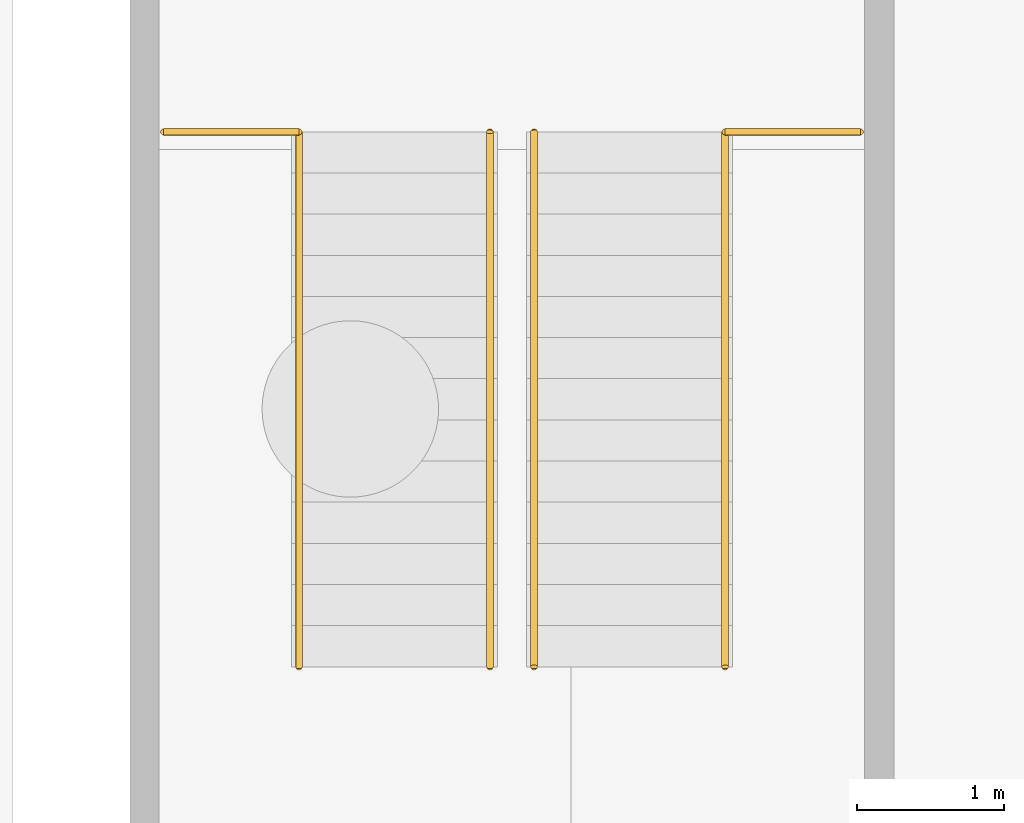
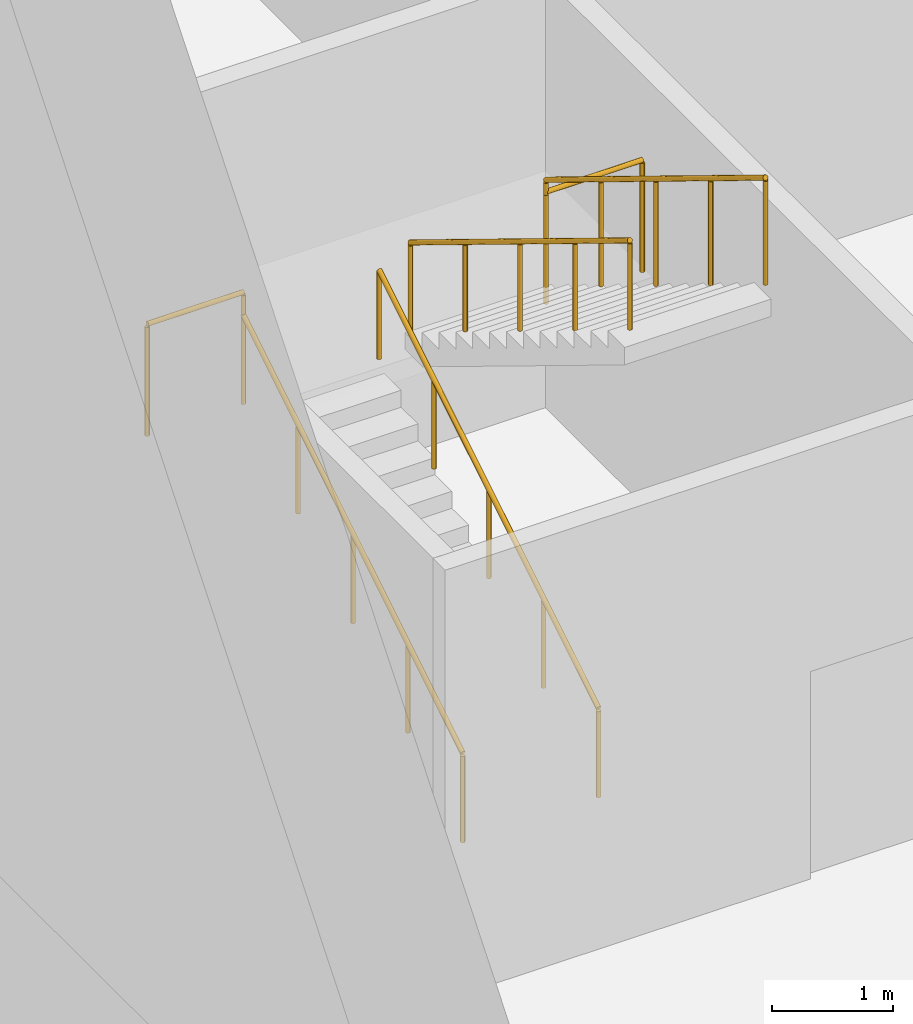
# One storey, part 17 of 18: 6 railings.
"""IFC4 building model written with IfcOpenShell, lengths in metres."""

from ifc_helpers import new_model, si_unit, direction, frame, origin, origin_2d, place, context, subcontext, project, spatial, circle, extrude, material, type_object, element, save


model = new_model("IFC4")

# Units and contexts
model_context = context("Model", 3, precision=1e-05, world=origin(), true_north=direction((0.0, 1.0)))
body_context = subcontext(model_context, "Body", "Model", "MODEL_VIEW")
ifc_project = project(units=[si_unit("LENGTHUNIT", "METRE"), si_unit("AREAUNIT", "SQUARE_METRE"), si_unit("VOLUMEUNIT", "CUBIC_METRE"), si_unit("PLANEANGLEUNIT", "RADIAN"), si_unit("MASSUNIT", "GRAM", prefix="KILO")], contexts=[model_context])

# Site, building, storey
site_placement = place(None, origin())
site = spatial("IfcSite", under=ifc_project, at=site_placement, CompositionType="ELEMENT")
building_placement = place(site_placement, origin())
building = spatial("IfcBuilding", under=site, at=building_placement, Name="Basin Gate Institute", CompositionType="ELEMENT")
storey_placement = place(building_placement, frame((0.0, 0.0, -9.60009765625)))
storey = spatial("IfcBuildingStorey", under=building, at=storey_placement, Name="B2", CompositionType="ELEMENT", Elevation=-9.60009765625)

# Railings
ifc_material_1 = material(Name="Stainless steel", Category="steel")
railing_type_1 = type_object("IfcRailingType", Name="Stair guard GR1", PredefinedType="GUARDRAIL", material=ifc_material_1)
railing_1_placement = place(storey_placement, frame((32.64990234375, 97.239990234375, 2.571533203125)))
element("IfcRailing", 1, at=railing_1_placement, inside=storey, type_object=railing_type_1, material=ifc_material_1, Name="Stair guard GR1 BS5 GD1", PredefinedType="GUARDRAIL", context=body_context, shape_type="SweptSolid", body=[
    extrude(circle(Radius=0.02392578125, at=origin_2d()), frame((0.0, 0.0, 1.076171875), z_axis=(0.0, -0.852850264322, 0.5221555579), x_axis=(1.0, 0.0, 0.0)), (0.0, 0.0, 1.0), 4.267822265625),
    extrude(circle(Radius=0.02099609375, at=origin_2d()), origin(), (0.0, 0.0, 1.0), 1.052001953125),
    extrude(circle(Radius=0.02099609375, at=origin_2d()), frame((0.0, -0.909912109375, 0.55712890625)), (0.0, 0.0, 1.0), 1.052001953125),
    extrude(circle(Radius=0.02099609375, at=origin_2d()), frame((0.0, -1.81982421875, 1.1142578125)), (0.0, 0.0, 1.0), 1.052001953125),
    extrude(circle(Radius=0.02099609375, at=origin_2d()), frame((0.0, -2.72998046875, 1.67138671875)), (0.0, 0.0, 1.0), 1.052001953125),
    extrude(circle(Radius=0.02099609375, at=origin_2d()), frame((0.0, -3.639892578125, 2.228515625)), (0.0, 0.0, 1.0), 1.052001953125),
])
ifc_material_2 = material(Name="Stainless steel", Category="steel")
railing_type_2 = type_object("IfcRailingType", Name="Stair guard GR3", PredefinedType="GUARDRAIL", material=ifc_material_2)
railing_2_placement = place(storey_placement, frame((32.64990234375, 97.239990234375, 2.400146484375)))
element("IfcRailing", 2, at=railing_2_placement, inside=storey, type_object=railing_type_2, material=ifc_material_2, Name="Stair guard GR3 BS5 GD2", PredefinedType="GUARDRAIL", context=body_context, shape_type="SweptSolid", body=[
    extrude(circle(Radius=0.02392578125, at=origin_2d()), frame((0.0, 0.0, 1.1259765625), z_axis=(1.0, 0.0, 0.0), x_axis=(0.0, 1.0, 0.0)), (0.0, 0.0, 1.0), 0.920166015625),
    extrude(circle(Radius=0.02099609375, at=origin_2d()), origin(), (0.0, 0.0, 1.0), 1.101806640625),
    extrude(circle(Radius=0.02099609375, at=origin_2d()), frame((0.920166015625, 0.0, 0.0)), (0.0, 0.0, 1.0), 1.101806640625),
])
railing_3_placement = place(storey_placement, frame((28.830078125, 97.239990234375, 2.400146484375)))
element("IfcRailing", 3, at=railing_3_placement, inside=storey, type_object=railing_type_2, material=ifc_material_2, Name="Stair guard GR3 BS5 GD2b", PredefinedType="GUARDRAIL", context=body_context, shape_type="SweptSolid", body=[
    extrude(circle(Radius=0.02392578125, at=origin_2d()), frame((0.0, 0.0, 1.1259765625), z_axis=(1.0, 0.0, 0.0), x_axis=(0.0, 1.0, 0.0)), (0.0, 0.0, 1.0), 0.919921875),
    extrude(circle(Radius=0.02099609375, at=origin_2d()), origin(), (0.0, 0.0, 1.0), 1.101806640625),
    extrude(circle(Radius=0.02099609375, at=origin_2d()), frame((0.919921875, 0.0, 0.0)), (0.0, 0.0, 1.0), 1.101806640625),
])
ifc_material_3 = material(Name="Stainless steel", Category="steel")
railing_type_3 = type_object("IfcRailingType", Name="Stair handrail HR1", PredefinedType="HANDRAIL", material=ifc_material_3)
for number, where, name in (
    (4, (29.75, 93.60009765625, 0.171630859375), "Stair handrail HR1 BS5 HR1"),
    (5, (31.050048828125, 93.60009765625, 0.171630859375), "Stair handrail HR1 BS5 HR2"),
):
    element("IfcRailing", number, at=place(storey_placement, frame(where)), inside=storey, type_object=railing_type_3, material=ifc_material_3, Name=name, PredefinedType="HANDRAIL", context=body_context, shape_type="SweptSolid", body=[
        extrude(circle(Radius=0.02392578125, at=origin_2d()), frame((0.0, 0.0, 0.89599609375), z_axis=(0.0, 0.852850264322, 0.5221555579), x_axis=(-1.0, 0.0, 0.0)), (0.0, 0.0, 1.0), 4.267822265625),
        extrude(circle(Radius=0.02099609375, at=origin_2d()), origin(), (0.0, 0.0, 1.0), 0.871826171875),
        extrude(circle(Radius=0.02099609375, at=origin_2d()), frame((0.0, 0.909912109375, 0.55712890625)), (0.0, 0.0, 1.0), 0.871826171875),
        extrude(circle(Radius=0.02099609375, at=origin_2d()), frame((0.0, 1.81982421875, 1.1142578125)), (0.0, 0.0, 1.0), 0.871826171875),
        extrude(circle(Radius=0.02099609375, at=origin_2d()), frame((0.0, 2.72998046875, 1.67138671875)), (0.0, 0.0, 1.0), 0.871826171875),
        extrude(circle(Radius=0.02099609375, at=origin_2d()), frame((0.0, 3.639892578125, 2.228515625)), (0.0, 0.0, 1.0), 0.871826171875),
    ])
railing_4_placement = place(storey_placement, frame((31.35009765625, 97.239990234375, 2.571533203125)))
element("IfcRailing", 6, at=railing_4_placement, inside=storey, type_object=railing_type_3, material=ifc_material_3, Name="Stair handrail HR1 BS5 HR3", PredefinedType="HANDRAIL", context=body_context, shape_type="SweptSolid", body=[
    extrude(circle(Radius=0.02392578125, at=origin_2d()), frame((0.0, 0.0, 0.89599609375), z_axis=(0.0, -0.852850264322, 0.5221555579), x_axis=(1.0, 0.0, 0.0)), (0.0, 0.0, 1.0), 4.267822265625),
    extrude(circle(Radius=0.02099609375, at=origin_2d()), origin(), (0.0, 0.0, 1.0), 0.871826171875),
    extrude(circle(Radius=0.02099609375, at=origin_2d()), frame((0.0, -0.909912109375, 0.55712890625)), (0.0, 0.0, 1.0), 0.871826171875),
    extrude(circle(Radius=0.02099609375, at=origin_2d()), frame((0.0, -1.81982421875, 1.1142578125)), (0.0, 0.0, 1.0), 0.871826171875),
    extrude(circle(Radius=0.02099609375, at=origin_2d()), frame((0.0, -2.72998046875, 1.67138671875)), (0.0, 0.0, 1.0), 0.871826171875),
    extrude(circle(Radius=0.02099609375, at=origin_2d()), frame((0.0, -3.639892578125, 2.228515625)), (0.0, 0.0, 1.0), 0.871826171875),
])

save(model, "model.ifc")
